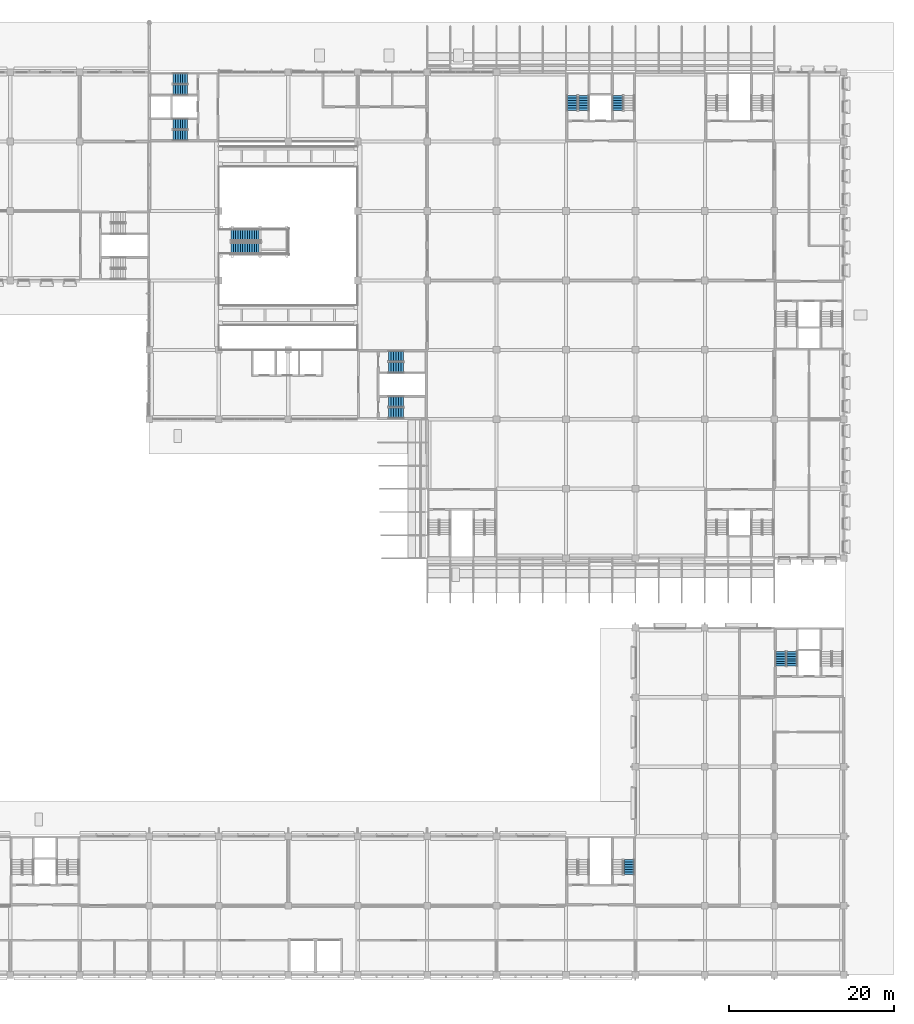
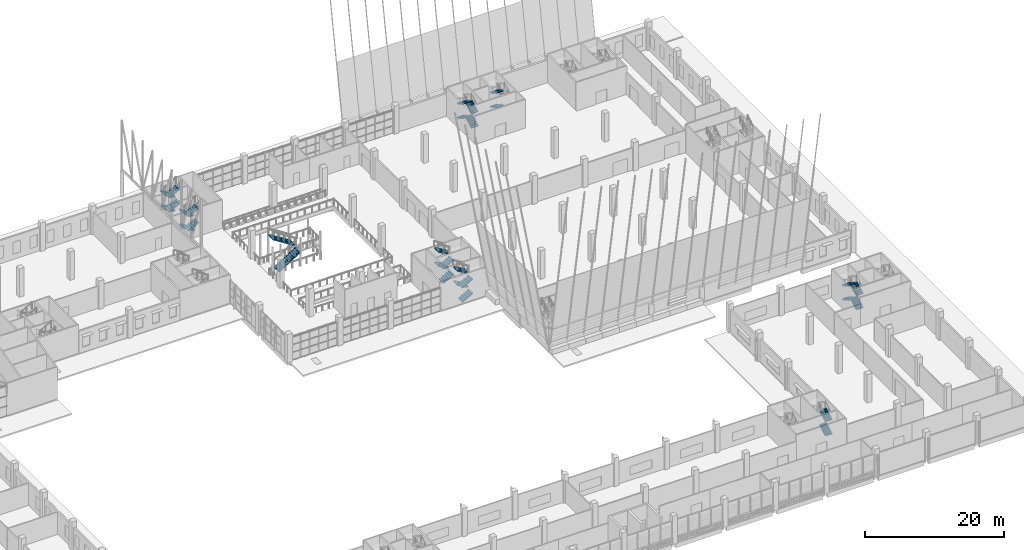
# One storey, part 45 of 101: 30 stair flights, 9 elements without a shape of their own.
"""IFC4 building model written with IfcOpenShell, lengths in metres."""

from ifc_helpers import new_model, si_unit, direction, frame, origin, place, context, subcontext, project, spatial, polyline, outline, extrude, material, type_object, element, aggregate, save


model = new_model("IFC4")

# Units and contexts
model_context = context("Model", 3, precision=1e-05, world=origin(), true_north=direction((0.0, 1.0)))
body_context = subcontext(model_context, "Body", "Model", "MODEL_VIEW")
ifc_project = project(units=[si_unit("LENGTHUNIT", "METRE"), si_unit("AREAUNIT", "SQUARE_METRE"), si_unit("VOLUMEUNIT", "CUBIC_METRE"), si_unit("PLANEANGLEUNIT", "RADIAN"), si_unit("MASSUNIT", "GRAM", prefix="KILO")], contexts=[model_context])

# Site, building, storey
site_placement = place(None, origin())
site = spatial("IfcSite", under=ifc_project, at=site_placement, CompositionType="ELEMENT")
building_placement = place(site_placement, origin())
building = spatial("IfcBuilding", under=site, at=building_placement, Name="Almond Square Museum", CompositionType="ELEMENT")
storey_placement = place(building_placement, frame((0.0, 0.0, 5.5)))
storey = spatial("IfcBuildingStorey", under=building, at=storey_placement, Name="L01", CompositionType="ELEMENT", Elevation=5.5)

# Stair, stair flights
ifc_material_1 = material(Name="Concrete C40/50", Category="concrete")
stair_type_1 = type_object("IfcStairType", Name="Exit stair 28 risers of 179 mm", PredefinedType="HALF_TURN_STAIR", material=ifc_material_1)
stair_1_placement = place(storey_placement, origin())
stair_1 = element("IfcStair", 1, at=stair_1_placement, inside=storey, type_object=stair_type_1, Name="L01 stair H4-1", PredefinedType="HALF_TURN_STAIR")
ifc_material_2 = material(Name="Concrete C40/50", Category="concrete")
stair_flight_type_1 = type_object("IfcStairFlightType", Name="Concrete flight", PredefinedType="STRAIGHT", material=ifc_material_2)
stair_flight_1_placement = place(storey_placement, frame((125.72509765625, 104.550048828125, 0.0), z_axis=(0.0, 0.0, 1.0), x_axis=(0.0, 1.0, 0.0)))
stair_flight_1 = element("IfcStairFlight", 2, at=stair_flight_1_placement, type_object=stair_flight_type_1, Name="ST-07 flight 1", NumberOfRisers=7, NumberOfTreads=6, PredefinedType="STRAIGHT", RiserHeight=0.178571429, TreadLength=0.3, context=body_context, shape_type="SweptSolid", body=[
    extrude(outline(polyline([(0.0, 0.0), (0.0, 0.178466796875), (0.300048828125, 0.178466796875), (0.300048828125, 0.357177734375), (0.60009765625, 0.357177734375), (0.60009765625, 0.53564453125), (0.89990234375, 0.53564453125), (0.89990234375, 0.71435546875), (1.199951171875, 0.71435546875), (1.199951171875, 0.892822265625), (1.5, 0.892822265625), (1.5, 1.071533203125), (1.800048828125, 1.071533203125), (1.800048828125, 1.25), (1.800048828125, 0.89697265625), (0.29296875, 0.0), (0.0, 0.0)])), frame((0.0, 0.574951171875, 0.0), z_axis=(0.0, -1.0, 0.0), x_axis=(1.0, 0.0, 0.0)), (0.0, 0.0, 1.0), 1.14990234375),
])
stair_flight_2_placement = place(storey_placement, frame((124.375, 106.35009765625, 1.25), z_axis=(0.0, 0.0, 1.0), x_axis=(0.0, -1.0, 0.0)))
stair_flight_2 = element("IfcStairFlight", 3, at=stair_flight_2_placement, type_object=stair_flight_type_1, Name="ST-07 flight 2", NumberOfRisers=7, NumberOfTreads=6, PredefinedType="STRAIGHT", RiserHeight=0.178571429, TreadLength=0.3, context=body_context, shape_type="SweptSolid", body=[
    extrude(outline(polyline([(0.0, 0.0), (0.0, 0.178466796875), (0.300048828125, 0.178466796875), (0.300048828125, 0.357177734375), (0.60009765625, 0.357177734375), (0.60009765625, 0.53564453125), (0.89990234375, 0.53564453125), (0.89990234375, 0.71435546875), (1.199951171875, 0.71435546875), (1.199951171875, 0.892822265625), (1.5, 0.892822265625), (1.5, 1.071533203125), (1.800048828125, 1.071533203125), (1.800048828125, 1.25), (1.800048828125, 0.89697265625), (0.29296875, 0.0), (0.0, 0.0)])), frame((0.0, 0.574951171875, 0.0), z_axis=(0.0, -1.0, 0.0), x_axis=(1.0, 0.0, 0.0)), (0.0, 0.0, 1.0), 1.14990234375),
])
stair_flight_3_placement = place(storey_placement, frame((125.72509765625, 104.550048828125, 2.5), z_axis=(0.0, 0.0, 1.0), x_axis=(0.0, 1.0, 0.0)))
stair_flight_3 = element("IfcStairFlight", 4, at=stair_flight_3_placement, type_object=stair_flight_type_1, Name="ST-07 flight 3", NumberOfRisers=7, NumberOfTreads=6, PredefinedType="STRAIGHT", RiserHeight=0.178571429, TreadLength=0.3, context=body_context, shape_type="SweptSolid", body=[
    extrude(outline(polyline([(0.0, 0.0), (0.0, 0.178466796875), (0.300048828125, 0.178466796875), (0.300048828125, 0.357177734375), (0.60009765625, 0.357177734375), (0.60009765625, 0.53564453125), (0.89990234375, 0.53564453125), (0.89990234375, 0.71435546875), (1.199951171875, 0.71435546875), (1.199951171875, 0.892822265625), (1.5, 0.892822265625), (1.5, 1.071533203125), (1.800048828125, 1.071533203125), (1.800048828125, 1.25), (1.800048828125, 0.89697265625), (0.29296875, 0.0), (0.0, 0.0)])), frame((0.0, 0.574951171875, 0.0), z_axis=(0.0, -1.0, 0.0), x_axis=(1.0, 0.0, 0.0)), (0.0, 0.0, 1.0), 1.14990234375),
])
stair_flight_4_placement = place(storey_placement, frame((124.375, 106.35009765625, 3.75), z_axis=(0.0, 0.0, 1.0), x_axis=(0.0, -1.0, 0.0)))
stair_flight_4 = element("IfcStairFlight", 5, at=stair_flight_4_placement, type_object=stair_flight_type_1, Name="ST-07 flight 4", NumberOfRisers=7, NumberOfTreads=6, PredefinedType="STRAIGHT", RiserHeight=0.178571429, TreadLength=0.3, context=body_context, shape_type="SweptSolid", body=[
    extrude(outline(polyline([(0.0, 0.0), (0.0, 0.178466796875), (0.300048828125, 0.178466796875), (0.300048828125, 0.357177734375), (0.60009765625, 0.357177734375), (0.60009765625, 0.53564453125), (0.89990234375, 0.53564453125), (0.89990234375, 0.71435546875), (1.199951171875, 0.71435546875), (1.199951171875, 0.892822265625), (1.5, 0.892822265625), (1.5, 1.071533203125), (1.800048828125, 1.071533203125), (1.800048828125, 1.25), (1.800048828125, 0.89697265625), (0.29296875, 0.0), (0.0, 0.0)])), frame((0.0, 0.574951171875, 0.0), z_axis=(0.0, -1.0, 0.0), x_axis=(1.0, 0.0, 0.0)), (0.0, 0.0, 1.0), 1.14990234375),
])
aggregate(stair_1, [stair_flight_1, stair_flight_2, stair_flight_3, stair_flight_4])

stair_2_placement = place(storey_placement, origin())
stair_2 = element("IfcStair", 6, at=stair_2_placement, inside=storey, type_object=stair_type_1, Name="L01 stair H4-2", PredefinedType="HALF_TURN_STAIR")
stair_flight_5_placement = place(storey_placement, frame((129.875, 106.35009765625, 1.25), z_axis=(0.0, 0.0, 1.0), x_axis=(0.0, -1.0, 0.0)))
stair_flight_5 = element("IfcStairFlight", 7, at=stair_flight_5_placement, type_object=stair_flight_type_1, Name="ST-08 flight 2", NumberOfRisers=7, NumberOfTreads=6, PredefinedType="STRAIGHT", RiserHeight=0.178571429, TreadLength=0.3, context=body_context, shape_type="SweptSolid", body=[
    extrude(outline(polyline([(0.0, 0.0), (0.0, 0.178466796875), (0.300048828125, 0.178466796875), (0.300048828125, 0.357177734375), (0.60009765625, 0.357177734375), (0.60009765625, 0.53564453125), (0.89990234375, 0.53564453125), (0.89990234375, 0.71435546875), (1.199951171875, 0.71435546875), (1.199951171875, 0.892822265625), (1.5, 0.892822265625), (1.5, 1.071533203125), (1.800048828125, 1.071533203125), (1.800048828125, 1.25), (1.800048828125, 0.89697265625), (0.29296875, 0.0), (0.0, 0.0)])), frame((0.0, 0.574951171875, 0.0), z_axis=(0.0, -1.0, 0.0), x_axis=(1.0, 0.0, 0.0)), (0.0, 0.0, 1.0), 1.14990234375),
])
stair_flight_6_placement = place(storey_placement, frame((129.875, 106.35009765625, 3.75), z_axis=(0.0, 0.0, 1.0), x_axis=(0.0, -1.0, 0.0)))
stair_flight_6 = element("IfcStairFlight", 8, at=stair_flight_6_placement, type_object=stair_flight_type_1, Name="ST-08 flight 4", NumberOfRisers=7, NumberOfTreads=6, PredefinedType="STRAIGHT", RiserHeight=0.178571429, TreadLength=0.3, context=body_context, shape_type="SweptSolid", body=[
    extrude(outline(polyline([(0.0, 0.0), (0.0, 0.178466796875), (0.300048828125, 0.178466796875), (0.300048828125, 0.357177734375), (0.60009765625, 0.357177734375), (0.60009765625, 0.53564453125), (0.89990234375, 0.53564453125), (0.89990234375, 0.71435546875), (1.199951171875, 0.71435546875), (1.199951171875, 0.892822265625), (1.5, 0.892822265625), (1.5, 1.071533203125), (1.800048828125, 1.071533203125), (1.800048828125, 1.25), (1.800048828125, 0.89697265625), (0.29296875, 0.0), (0.0, 0.0)])), frame((0.0, 0.574951171875, 0.0), z_axis=(0.0, -1.0, 0.0), x_axis=(1.0, 0.0, 0.0)), (0.0, 0.0, 1.0), 1.14990234375),
])
aggregate(stair_2, [stair_flight_5, stair_flight_6])

stair_3_placement = place(storey_placement, origin())
stair_3 = element("IfcStair", 9, at=stair_3_placement, inside=storey, type_object=stair_type_1, Name="L01 stair A1-1", PredefinedType="HALF_TURN_STAIR")
stair_flight_7_placement = place(storey_placement, frame((77.85009765625, 102.925048828125, 0.0), z_axis=(0.0, 0.0, 1.0), x_axis=(-1.0, 0.0, 0.0)))
stair_flight_7 = element("IfcStairFlight", 10, at=stair_flight_7_placement, type_object=stair_flight_type_1, Name="ST-09 flight 1", NumberOfRisers=7, NumberOfTreads=6, PredefinedType="STRAIGHT", RiserHeight=0.178571429, TreadLength=0.3, context=body_context, shape_type="SweptSolid", body=[
    extrude(outline(polyline([(0.0, 0.0), (0.0, 0.178466796875), (0.300048828125, 0.178466796875), (0.300048828125, 0.357177734375), (0.60009765625, 0.357177734375), (0.60009765625, 0.53564453125), (0.89990234375, 0.53564453125), (0.89990234375, 0.71435546875), (1.199951171875, 0.71435546875), (1.199951171875, 0.892822265625), (1.5, 0.892822265625), (1.5, 1.071533203125), (1.800048828125, 1.071533203125), (1.800048828125, 1.25), (1.800048828125, 0.89697265625), (0.29296875, 0.0), (0.0, 0.0)])), frame((0.0, 0.574951171875, 0.0), z_axis=(0.0, -1.0, 0.0), x_axis=(1.0, 0.0, 0.0)), (0.0, 0.0, 1.0), 1.14990234375),
])
stair_flight_8_placement = place(storey_placement, frame((76.050048828125, 101.574951171875, 1.25), z_axis=(0.0, 0.0, 1.0), x_axis=(1.0, 0.0, 0.0)))
stair_flight_8 = element("IfcStairFlight", 11, at=stair_flight_8_placement, type_object=stair_flight_type_1, Name="ST-09 flight 2", NumberOfRisers=7, NumberOfTreads=6, PredefinedType="STRAIGHT", RiserHeight=0.178571429, TreadLength=0.3, context=body_context, shape_type="SweptSolid", body=[
    extrude(outline(polyline([(0.0, 0.0), (0.0, 0.178466796875), (0.300048828125, 0.178466796875), (0.300048828125, 0.357177734375), (0.60009765625, 0.357177734375), (0.60009765625, 0.53564453125), (0.89990234375, 0.53564453125), (0.89990234375, 0.71435546875), (1.199951171875, 0.71435546875), (1.199951171875, 0.892822265625), (1.5, 0.892822265625), (1.5, 1.071533203125), (1.800048828125, 1.071533203125), (1.800048828125, 1.25), (1.800048828125, 0.89697265625), (0.29296875, 0.0), (0.0, 0.0)])), frame((0.0, 0.574951171875, 0.0), z_axis=(0.0, -1.0, 0.0), x_axis=(1.0, 0.0, 0.0)), (0.0, 0.0, 1.0), 1.14990234375),
])
stair_flight_9_placement = place(storey_placement, frame((77.85009765625, 102.925048828125, 2.5), z_axis=(0.0, 0.0, 1.0), x_axis=(-1.0, 0.0, 0.0)))
stair_flight_9 = element("IfcStairFlight", 12, at=stair_flight_9_placement, type_object=stair_flight_type_1, Name="ST-09 flight 3", NumberOfRisers=7, NumberOfTreads=6, PredefinedType="STRAIGHT", RiserHeight=0.178571429, TreadLength=0.3, context=body_context, shape_type="SweptSolid", body=[
    extrude(outline(polyline([(0.0, 0.0), (0.0, 0.178466796875), (0.300048828125, 0.178466796875), (0.300048828125, 0.357177734375), (0.60009765625, 0.357177734375), (0.60009765625, 0.53564453125), (0.89990234375, 0.53564453125), (0.89990234375, 0.71435546875), (1.199951171875, 0.71435546875), (1.199951171875, 0.892822265625), (1.5, 0.892822265625), (1.5, 1.071533203125), (1.800048828125, 1.071533203125), (1.800048828125, 1.25), (1.800048828125, 0.89697265625), (0.29296875, 0.0), (0.0, 0.0)])), frame((0.0, 0.574951171875, 0.0), z_axis=(0.0, -1.0, 0.0), x_axis=(1.0, 0.0, 0.0)), (0.0, 0.0, 1.0), 1.14990234375),
])
stair_flight_10_placement = place(storey_placement, frame((76.050048828125, 101.574951171875, 3.75), z_axis=(0.0, 0.0, 1.0), x_axis=(1.0, 0.0, 0.0)))
stair_flight_10 = element("IfcStairFlight", 13, at=stair_flight_10_placement, type_object=stair_flight_type_1, Name="ST-09 flight 4", NumberOfRisers=7, NumberOfTreads=6, PredefinedType="STRAIGHT", RiserHeight=0.178571429, TreadLength=0.3, context=body_context, shape_type="SweptSolid", body=[
    extrude(outline(polyline([(0.0, 0.0), (0.0, 0.178466796875), (0.300048828125, 0.178466796875), (0.300048828125, 0.357177734375), (0.60009765625, 0.357177734375), (0.60009765625, 0.53564453125), (0.89990234375, 0.53564453125), (0.89990234375, 0.71435546875), (1.199951171875, 0.71435546875), (1.199951171875, 0.892822265625), (1.5, 0.892822265625), (1.5, 1.071533203125), (1.800048828125, 1.071533203125), (1.800048828125, 1.25), (1.800048828125, 0.89697265625), (0.29296875, 0.0), (0.0, 0.0)])), frame((0.0, 0.574951171875, 0.0), z_axis=(0.0, -1.0, 0.0), x_axis=(1.0, 0.0, 0.0)), (0.0, 0.0, 1.0), 1.14990234375),
])
aggregate(stair_3, [stair_flight_7, stair_flight_8, stair_flight_9, stair_flight_10])

stair_4_placement = place(storey_placement, origin())
stair_4 = element("IfcStair", 14, at=stair_4_placement, inside=storey, type_object=stair_type_1, Name="L01 stair A1-2", PredefinedType="HALF_TURN_STAIR")
stair_flight_11_placement = place(storey_placement, frame((77.85009765625, 108.425048828125, 0.0), z_axis=(0.0, 0.0, 1.0), x_axis=(-1.0, 0.0, 0.0)))
stair_flight_11 = element("IfcStairFlight", 15, at=stair_flight_11_placement, type_object=stair_flight_type_1, Name="ST-10 flight 1", NumberOfRisers=7, NumberOfTreads=6, PredefinedType="STRAIGHT", RiserHeight=0.178571429, TreadLength=0.3, context=body_context, shape_type="SweptSolid", body=[
    extrude(outline(polyline([(0.0, 0.0), (0.0, 0.178466796875), (0.300048828125, 0.178466796875), (0.300048828125, 0.357177734375), (0.60009765625, 0.357177734375), (0.60009765625, 0.53564453125), (0.89990234375, 0.53564453125), (0.89990234375, 0.71435546875), (1.199951171875, 0.71435546875), (1.199951171875, 0.892822265625), (1.5, 0.892822265625), (1.5, 1.071533203125), (1.800048828125, 1.071533203125), (1.800048828125, 1.25), (1.800048828125, 0.89697265625), (0.29296875, 0.0), (0.0, 0.0)])), frame((0.0, 0.574951171875, 0.0), z_axis=(0.0, -1.0, 0.0), x_axis=(1.0, 0.0, 0.0)), (0.0, 0.0, 1.0), 1.14990234375),
])
stair_flight_12_placement = place(storey_placement, frame((76.050048828125, 107.074951171875, 1.25), z_axis=(0.0, 0.0, 1.0), x_axis=(1.0, 0.0, 0.0)))
stair_flight_12 = element("IfcStairFlight", 16, at=stair_flight_12_placement, type_object=stair_flight_type_1, Name="ST-10 flight 2", NumberOfRisers=7, NumberOfTreads=6, PredefinedType="STRAIGHT", RiserHeight=0.178571429, TreadLength=0.3, context=body_context, shape_type="SweptSolid", body=[
    extrude(outline(polyline([(0.0, 0.0), (0.0, 0.178466796875), (0.300048828125, 0.178466796875), (0.300048828125, 0.357177734375), (0.60009765625, 0.357177734375), (0.60009765625, 0.53564453125), (0.89990234375, 0.53564453125), (0.89990234375, 0.71435546875), (1.199951171875, 0.71435546875), (1.199951171875, 0.892822265625), (1.5, 0.892822265625), (1.5, 1.071533203125), (1.800048828125, 1.071533203125), (1.800048828125, 1.25), (1.800048828125, 0.89697265625), (0.29296875, 0.0), (0.0, 0.0)])), frame((0.0, 0.574951171875, 0.0), z_axis=(0.0, -1.0, 0.0), x_axis=(1.0, 0.0, 0.0)), (0.0, 0.0, 1.0), 1.14990234375),
])
stair_flight_13_placement = place(storey_placement, frame((77.85009765625, 108.425048828125, 2.5), z_axis=(0.0, 0.0, 1.0), x_axis=(-1.0, 0.0, 0.0)))
stair_flight_13 = element("IfcStairFlight", 17, at=stair_flight_13_placement, type_object=stair_flight_type_1, Name="ST-10 flight 3", NumberOfRisers=7, NumberOfTreads=6, PredefinedType="STRAIGHT", RiserHeight=0.178571429, TreadLength=0.3, context=body_context, shape_type="SweptSolid", body=[
    extrude(outline(polyline([(0.0, 0.0), (0.0, 0.178466796875), (0.300048828125, 0.178466796875), (0.300048828125, 0.357177734375), (0.60009765625, 0.357177734375), (0.60009765625, 0.53564453125), (0.89990234375, 0.53564453125), (0.89990234375, 0.71435546875), (1.199951171875, 0.71435546875), (1.199951171875, 0.892822265625), (1.5, 0.892822265625), (1.5, 1.071533203125), (1.800048828125, 1.071533203125), (1.800048828125, 1.25), (1.800048828125, 0.89697265625), (0.29296875, 0.0), (0.0, 0.0)])), frame((0.0, 0.574951171875, 0.0), z_axis=(0.0, -1.0, 0.0), x_axis=(1.0, 0.0, 0.0)), (0.0, 0.0, 1.0), 1.14990234375),
])
stair_flight_14_placement = place(storey_placement, frame((76.050048828125, 107.074951171875, 3.75), z_axis=(0.0, 0.0, 1.0), x_axis=(1.0, 0.0, 0.0)))
stair_flight_14 = element("IfcStairFlight", 18, at=stair_flight_14_placement, type_object=stair_flight_type_1, Name="ST-10 flight 4", NumberOfRisers=7, NumberOfTreads=6, PredefinedType="STRAIGHT", RiserHeight=0.178571429, TreadLength=0.3, context=body_context, shape_type="SweptSolid", body=[
    extrude(outline(polyline([(0.0, 0.0), (0.0, 0.178466796875), (0.300048828125, 0.178466796875), (0.300048828125, 0.357177734375), (0.60009765625, 0.357177734375), (0.60009765625, 0.53564453125), (0.89990234375, 0.53564453125), (0.89990234375, 0.71435546875), (1.199951171875, 0.71435546875), (1.199951171875, 0.892822265625), (1.5, 0.892822265625), (1.5, 1.071533203125), (1.800048828125, 1.071533203125), (1.800048828125, 1.25), (1.800048828125, 0.89697265625), (0.29296875, 0.0), (0.0, 0.0)])), frame((0.0, 0.574951171875, 0.0), z_axis=(0.0, -1.0, 0.0), x_axis=(1.0, 0.0, 0.0)), (0.0, 0.0, 1.0), 1.14990234375),
])
aggregate(stair_4, [stair_flight_11, stair_flight_12, stair_flight_13, stair_flight_14])

stair_5_placement = place(storey_placement, origin())
stair_5 = element("IfcStair", 19, at=stair_5_placement, inside=storey, type_object=stair_type_1, Name="L01 stair A2-1", PredefinedType="HALF_TURN_STAIR")
stair_flight_15_placement = place(storey_placement, frame((102.14990234375, 67.97509765625, 0.0), z_axis=(0.0, 0.0, 1.0), x_axis=(1.0, 0.0, 0.0)))
stair_flight_15 = element("IfcStairFlight", 20, at=stair_flight_15_placement, type_object=stair_flight_type_1, Name="ST-11 flight 1", NumberOfRisers=7, NumberOfTreads=6, PredefinedType="STRAIGHT", RiserHeight=0.178571429, TreadLength=0.3, context=body_context, shape_type="SweptSolid", body=[
    extrude(outline(polyline([(0.0, 0.0), (0.0, 0.178466796875), (0.300048828125, 0.178466796875), (0.300048828125, 0.357177734375), (0.60009765625, 0.357177734375), (0.60009765625, 0.53564453125), (0.89990234375, 0.53564453125), (0.89990234375, 0.71435546875), (1.199951171875, 0.71435546875), (1.199951171875, 0.892822265625), (1.5, 0.892822265625), (1.5, 1.071533203125), (1.800048828125, 1.071533203125), (1.800048828125, 1.25), (1.800048828125, 0.89697265625), (0.29296875, 0.0), (0.0, 0.0)])), frame((0.0, 0.574951171875, 0.0), z_axis=(0.0, -1.0, 0.0), x_axis=(1.0, 0.0, 0.0)), (0.0, 0.0, 1.0), 1.14990234375),
])
stair_flight_16_placement = place(storey_placement, frame((103.949951171875, 69.324951171875, 1.25), z_axis=(0.0, 0.0, 1.0), x_axis=(-1.0, 0.0, 0.0)))
stair_flight_16 = element("IfcStairFlight", 21, at=stair_flight_16_placement, type_object=stair_flight_type_1, Name="ST-11 flight 2", NumberOfRisers=7, NumberOfTreads=6, PredefinedType="STRAIGHT", RiserHeight=0.178571429, TreadLength=0.3, context=body_context, shape_type="SweptSolid", body=[
    extrude(outline(polyline([(0.0, 0.0), (0.0, 0.178466796875), (0.300048828125, 0.178466796875), (0.300048828125, 0.357177734375), (0.60009765625, 0.357177734375), (0.60009765625, 0.53564453125), (0.89990234375, 0.53564453125), (0.89990234375, 0.71435546875), (1.199951171875, 0.71435546875), (1.199951171875, 0.892822265625), (1.5, 0.892822265625), (1.5, 1.071533203125), (1.800048828125, 1.071533203125), (1.800048828125, 1.25), (1.800048828125, 0.89697265625), (0.29296875, 0.0), (0.0, 0.0)])), frame((0.0, 0.574951171875, 0.0), z_axis=(0.0, -1.0, 0.0), x_axis=(1.0, 0.0, 0.0)), (0.0, 0.0, 1.0), 1.14990234375),
])
stair_flight_17_placement = place(storey_placement, frame((102.14990234375, 67.97509765625, 2.5), z_axis=(0.0, 0.0, 1.0), x_axis=(1.0, 0.0, 0.0)))
stair_flight_17 = element("IfcStairFlight", 22, at=stair_flight_17_placement, type_object=stair_flight_type_1, Name="ST-11 flight 3", NumberOfRisers=7, NumberOfTreads=6, PredefinedType="STRAIGHT", RiserHeight=0.178571429, TreadLength=0.3, context=body_context, shape_type="SweptSolid", body=[
    extrude(outline(polyline([(0.0, 0.0), (0.0, 0.178466796875), (0.300048828125, 0.178466796875), (0.300048828125, 0.357177734375), (0.60009765625, 0.357177734375), (0.60009765625, 0.53564453125), (0.89990234375, 0.53564453125), (0.89990234375, 0.71435546875), (1.199951171875, 0.71435546875), (1.199951171875, 0.892822265625), (1.5, 0.892822265625), (1.5, 1.071533203125), (1.800048828125, 1.071533203125), (1.800048828125, 1.25), (1.800048828125, 0.89697265625), (0.29296875, 0.0), (0.0, 0.0)])), frame((0.0, 0.574951171875, 0.0), z_axis=(0.0, -1.0, 0.0), x_axis=(1.0, 0.0, 0.0)), (0.0, 0.0, 1.0), 1.14990234375),
])
stair_flight_18_placement = place(storey_placement, frame((103.949951171875, 69.324951171875, 3.75), z_axis=(0.0, 0.0, 1.0), x_axis=(-1.0, 0.0, 0.0)))
stair_flight_18 = element("IfcStairFlight", 23, at=stair_flight_18_placement, type_object=stair_flight_type_1, Name="ST-11 flight 4", NumberOfRisers=7, NumberOfTreads=6, PredefinedType="STRAIGHT", RiserHeight=0.178571429, TreadLength=0.3, context=body_context, shape_type="SweptSolid", body=[
    extrude(outline(polyline([(0.0, 0.0), (0.0, 0.178466796875), (0.300048828125, 0.178466796875), (0.300048828125, 0.357177734375), (0.60009765625, 0.357177734375), (0.60009765625, 0.53564453125), (0.89990234375, 0.53564453125), (0.89990234375, 0.71435546875), (1.199951171875, 0.71435546875), (1.199951171875, 0.892822265625), (1.5, 0.892822265625), (1.5, 1.071533203125), (1.800048828125, 1.071533203125), (1.800048828125, 1.25), (1.800048828125, 0.89697265625), (0.29296875, 0.0), (0.0, 0.0)])), frame((0.0, 0.574951171875, 0.0), z_axis=(0.0, -1.0, 0.0), x_axis=(1.0, 0.0, 0.0)), (0.0, 0.0, 1.0), 1.14990234375),
])
aggregate(stair_5, [stair_flight_15, stair_flight_16, stair_flight_17, stair_flight_18])

stair_6_placement = place(storey_placement, origin())
stair_6 = element("IfcStair", 24, at=stair_6_placement, inside=storey, type_object=stair_type_1, Name="L01 stair A2-2", PredefinedType="HALF_TURN_STAIR")
stair_flight_19_placement = place(storey_placement, frame((102.14990234375, 73.47509765625, 0.0), z_axis=(0.0, 0.0, 1.0), x_axis=(1.0, 0.0, 0.0)))
stair_flight_19 = element("IfcStairFlight", 25, at=stair_flight_19_placement, type_object=stair_flight_type_1, Name="ST-12 flight 1", NumberOfRisers=7, NumberOfTreads=6, PredefinedType="STRAIGHT", RiserHeight=0.178571429, TreadLength=0.3, context=body_context, shape_type="SweptSolid", body=[
    extrude(outline(polyline([(0.0, 0.0), (0.0, 0.178466796875), (0.300048828125, 0.178466796875), (0.300048828125, 0.357177734375), (0.60009765625, 0.357177734375), (0.60009765625, 0.53564453125), (0.89990234375, 0.53564453125), (0.89990234375, 0.71435546875), (1.199951171875, 0.71435546875), (1.199951171875, 0.892822265625), (1.5, 0.892822265625), (1.5, 1.071533203125), (1.800048828125, 1.071533203125), (1.800048828125, 1.25), (1.800048828125, 0.89697265625), (0.29296875, 0.0), (0.0, 0.0)])), frame((0.0, 0.574951171875, 0.0), z_axis=(0.0, -1.0, 0.0), x_axis=(1.0, 0.0, 0.0)), (0.0, 0.0, 1.0), 1.14990234375),
])
stair_flight_20_placement = place(storey_placement, frame((103.949951171875, 74.824951171875, 1.25), z_axis=(0.0, 0.0, 1.0), x_axis=(-1.0, 0.0, 0.0)))
stair_flight_20 = element("IfcStairFlight", 26, at=stair_flight_20_placement, type_object=stair_flight_type_1, Name="ST-12 flight 2", NumberOfRisers=7, NumberOfTreads=6, PredefinedType="STRAIGHT", RiserHeight=0.178571429, TreadLength=0.3, context=body_context, shape_type="SweptSolid", body=[
    extrude(outline(polyline([(0.0, 0.0), (0.0, 0.178466796875), (0.300048828125, 0.178466796875), (0.300048828125, 0.357177734375), (0.60009765625, 0.357177734375), (0.60009765625, 0.53564453125), (0.89990234375, 0.53564453125), (0.89990234375, 0.71435546875), (1.199951171875, 0.71435546875), (1.199951171875, 0.892822265625), (1.5, 0.892822265625), (1.5, 1.071533203125), (1.800048828125, 1.071533203125), (1.800048828125, 1.25), (1.800048828125, 0.89697265625), (0.29296875, 0.0), (0.0, 0.0)])), frame((0.0, 0.574951171875, 0.0), z_axis=(0.0, -1.0, 0.0), x_axis=(1.0, 0.0, 0.0)), (0.0, 0.0, 1.0), 1.14990234375),
])
stair_flight_21_placement = place(storey_placement, frame((102.14990234375, 73.47509765625, 2.5), z_axis=(0.0, 0.0, 1.0), x_axis=(1.0, 0.0, 0.0)))
stair_flight_21 = element("IfcStairFlight", 27, at=stair_flight_21_placement, type_object=stair_flight_type_1, Name="ST-12 flight 3", NumberOfRisers=7, NumberOfTreads=6, PredefinedType="STRAIGHT", RiserHeight=0.178571429, TreadLength=0.3, context=body_context, shape_type="SweptSolid", body=[
    extrude(outline(polyline([(0.0, 0.0), (0.0, 0.178466796875), (0.300048828125, 0.178466796875), (0.300048828125, 0.357177734375), (0.60009765625, 0.357177734375), (0.60009765625, 0.53564453125), (0.89990234375, 0.53564453125), (0.89990234375, 0.71435546875), (1.199951171875, 0.71435546875), (1.199951171875, 0.892822265625), (1.5, 0.892822265625), (1.5, 1.071533203125), (1.800048828125, 1.071533203125), (1.800048828125, 1.25), (1.800048828125, 0.89697265625), (0.29296875, 0.0), (0.0, 0.0)])), frame((0.0, 0.574951171875, 0.0), z_axis=(0.0, -1.0, 0.0), x_axis=(1.0, 0.0, 0.0)), (0.0, 0.0, 1.0), 1.14990234375),
])
stair_flight_22_placement = place(storey_placement, frame((103.949951171875, 74.824951171875, 3.75), z_axis=(0.0, 0.0, 1.0), x_axis=(-1.0, 0.0, 0.0)))
stair_flight_22 = element("IfcStairFlight", 28, at=stair_flight_22_placement, type_object=stair_flight_type_1, Name="ST-12 flight 4", NumberOfRisers=7, NumberOfTreads=6, PredefinedType="STRAIGHT", RiserHeight=0.178571429, TreadLength=0.3, context=body_context, shape_type="SweptSolid", body=[
    extrude(outline(polyline([(0.0, 0.0), (0.0, 0.178466796875), (0.300048828125, 0.178466796875), (0.300048828125, 0.357177734375), (0.60009765625, 0.357177734375), (0.60009765625, 0.53564453125), (0.89990234375, 0.53564453125), (0.89990234375, 0.71435546875), (1.199951171875, 0.71435546875), (1.199951171875, 0.892822265625), (1.5, 0.892822265625), (1.5, 1.071533203125), (1.800048828125, 1.071533203125), (1.800048828125, 1.25), (1.800048828125, 0.89697265625), (0.29296875, 0.0), (0.0, 0.0)])), frame((0.0, 0.574951171875, 0.0), z_axis=(0.0, -1.0, 0.0), x_axis=(1.0, 0.0, 0.0)), (0.0, 0.0, 1.0), 1.14990234375),
])
aggregate(stair_6, [stair_flight_19, stair_flight_20, stair_flight_21, stair_flight_22])

stair_7_placement = place(storey_placement, origin())
stair_7 = element("IfcStair", 29, at=stair_7_placement, inside=storey, type_object=stair_type_1, Name="L01 stair S3-2", PredefinedType="HALF_TURN_STAIR")
stair_flight_23_placement = place(storey_placement, frame((131.22509765625, 12.14990234375, 0.0), z_axis=(0.0, 0.0, 1.0), x_axis=(0.0, 1.0, 0.0)))
stair_flight_23 = element("IfcStairFlight", 30, at=stair_flight_23_placement, type_object=stair_flight_type_1, Name="ST-32 flight 1", NumberOfRisers=7, NumberOfTreads=6, PredefinedType="STRAIGHT", RiserHeight=0.178571429, TreadLength=0.3, context=body_context, shape_type="SweptSolid", body=[
    extrude(outline(polyline([(0.0, 0.0), (0.0, 0.178466796875), (0.300048828125, 0.178466796875), (0.300048828125, 0.357177734375), (0.60009765625, 0.357177734375), (0.60009765625, 0.53564453125), (0.89990234375, 0.53564453125), (0.89990234375, 0.71435546875), (1.199951171875, 0.71435546875), (1.199951171875, 0.892822265625), (1.5, 0.892822265625), (1.5, 1.071533203125), (1.800048828125, 1.071533203125), (1.800048828125, 1.25), (1.800048828125, 0.89697265625), (0.29296875, 0.0), (0.0, 0.0)])), frame((0.0, 0.574951171875, 0.0), z_axis=(0.0, -1.0, 0.0), x_axis=(1.0, 0.0, 0.0)), (0.0, 0.0, 1.0), 1.14990234375),
])
stair_flight_24_placement = place(storey_placement, frame((131.22509765625, 12.14990234375, 2.5), z_axis=(0.0, 0.0, 1.0), x_axis=(0.0, 1.0, 0.0)))
stair_flight_24 = element("IfcStairFlight", 31, at=stair_flight_24_placement, type_object=stair_flight_type_1, Name="ST-32 flight 3", NumberOfRisers=7, NumberOfTreads=6, PredefinedType="STRAIGHT", RiserHeight=0.178571429, TreadLength=0.3, context=body_context, shape_type="SweptSolid", body=[
    extrude(outline(polyline([(0.0, 0.0), (0.0, 0.178466796875), (0.300048828125, 0.178466796875), (0.300048828125, 0.357177734375), (0.60009765625, 0.357177734375), (0.60009765625, 0.53564453125), (0.89990234375, 0.53564453125), (0.89990234375, 0.71435546875), (1.199951171875, 0.71435546875), (1.199951171875, 0.892822265625), (1.5, 0.892822265625), (1.5, 1.071533203125), (1.800048828125, 1.071533203125), (1.800048828125, 1.25), (1.800048828125, 0.89697265625), (0.29296875, 0.0), (0.0, 0.0)])), frame((0.0, 0.574951171875, 0.0), z_axis=(0.0, -1.0, 0.0), x_axis=(1.0, 0.0, 0.0)), (0.0, 0.0, 1.0), 1.14990234375),
])
aggregate(stair_7, [stair_flight_23, stair_flight_24])

stair_8_placement = place(storey_placement, origin())
stair_8 = element("IfcStair", 32, at=stair_8_placement, inside=storey, type_object=stair_type_1, Name="L01 stair X1-1", PredefinedType="HALF_TURN_STAIR")
stair_flight_25_placement = place(storey_placement, frame((150.925048828125, 37.35009765625, 0.0), z_axis=(0.0, 0.0, 1.0), x_axis=(0.0, 1.0, 0.0)))
stair_flight_25 = element("IfcStairFlight", 33, at=stair_flight_25_placement, type_object=stair_flight_type_1, Name="ST-33 flight 1", NumberOfRisers=7, NumberOfTreads=6, PredefinedType="STRAIGHT", RiserHeight=0.178571429, TreadLength=0.3, context=body_context, shape_type="SweptSolid", body=[
    extrude(outline(polyline([(0.0, 0.0), (0.0, 0.178466796875), (0.300048828125, 0.178466796875), (0.300048828125, 0.357177734375), (0.60009765625, 0.357177734375), (0.60009765625, 0.53564453125), (0.89990234375, 0.53564453125), (0.89990234375, 0.71435546875), (1.199951171875, 0.71435546875), (1.199951171875, 0.892822265625), (1.5, 0.892822265625), (1.5, 1.071533203125), (1.800048828125, 1.071533203125), (1.800048828125, 1.25), (1.800048828125, 0.89697265625), (0.29296875, 0.0), (0.0, 0.0)])), frame((0.0, 0.574951171875, 0.0), z_axis=(0.0, -1.0, 0.0), x_axis=(1.0, 0.0, 0.0)), (0.0, 0.0, 1.0), 1.14990234375),
])
stair_flight_26_placement = place(storey_placement, frame((149.574951171875, 39.14990234375, 1.25), z_axis=(0.0, 0.0, 1.0), x_axis=(0.0, -1.0, 0.0)))
stair_flight_26 = element("IfcStairFlight", 34, at=stair_flight_26_placement, type_object=stair_flight_type_1, Name="ST-33 flight 2", NumberOfRisers=7, NumberOfTreads=6, PredefinedType="STRAIGHT", RiserHeight=0.178571429, TreadLength=0.3, context=body_context, shape_type="SweptSolid", body=[
    extrude(outline(polyline([(0.0, 0.0), (0.0, 0.178466796875), (0.300048828125, 0.178466796875), (0.300048828125, 0.357177734375), (0.60009765625, 0.357177734375), (0.60009765625, 0.53564453125), (0.89990234375, 0.53564453125), (0.89990234375, 0.71435546875), (1.199951171875, 0.71435546875), (1.199951171875, 0.892822265625), (1.5, 0.892822265625), (1.5, 1.071533203125), (1.800048828125, 1.071533203125), (1.800048828125, 1.25), (1.800048828125, 0.89697265625), (0.29296875, 0.0), (0.0, 0.0)])), frame((0.0, 0.574951171875, 0.0), z_axis=(0.0, -1.0, 0.0), x_axis=(1.0, 0.0, 0.0)), (0.0, 0.0, 1.0), 1.14990234375),
])
stair_flight_27_placement = place(storey_placement, frame((150.925048828125, 37.35009765625, 2.5), z_axis=(0.0, 0.0, 1.0), x_axis=(0.0, 1.0, 0.0)))
stair_flight_27 = element("IfcStairFlight", 35, at=stair_flight_27_placement, type_object=stair_flight_type_1, Name="ST-33 flight 3", NumberOfRisers=7, NumberOfTreads=6, PredefinedType="STRAIGHT", RiserHeight=0.178571429, TreadLength=0.3, context=body_context, shape_type="SweptSolid", body=[
    extrude(outline(polyline([(0.0, 0.0), (0.0, 0.178466796875), (0.300048828125, 0.178466796875), (0.300048828125, 0.357177734375), (0.60009765625, 0.357177734375), (0.60009765625, 0.53564453125), (0.89990234375, 0.53564453125), (0.89990234375, 0.71435546875), (1.199951171875, 0.71435546875), (1.199951171875, 0.892822265625), (1.5, 0.892822265625), (1.5, 1.071533203125), (1.800048828125, 1.071533203125), (1.800048828125, 1.25), (1.800048828125, 0.89697265625), (0.29296875, 0.0), (0.0, 0.0)])), frame((0.0, 0.574951171875, 0.0), z_axis=(0.0, -1.0, 0.0), x_axis=(1.0, 0.0, 0.0)), (0.0, 0.0, 1.0), 1.14990234375),
])
stair_flight_28_placement = place(storey_placement, frame((149.574951171875, 39.14990234375, 3.75), z_axis=(0.0, 0.0, 1.0), x_axis=(0.0, -1.0, 0.0)))
stair_flight_28 = element("IfcStairFlight", 36, at=stair_flight_28_placement, type_object=stair_flight_type_1, Name="ST-33 flight 4", NumberOfRisers=7, NumberOfTreads=6, PredefinedType="STRAIGHT", RiserHeight=0.178571429, TreadLength=0.3, context=body_context, shape_type="SweptSolid", body=[
    extrude(outline(polyline([(0.0, 0.0), (0.0, 0.178466796875), (0.300048828125, 0.178466796875), (0.300048828125, 0.357177734375), (0.60009765625, 0.357177734375), (0.60009765625, 0.53564453125), (0.89990234375, 0.53564453125), (0.89990234375, 0.71435546875), (1.199951171875, 0.71435546875), (1.199951171875, 0.892822265625), (1.5, 0.892822265625), (1.5, 1.071533203125), (1.800048828125, 1.071533203125), (1.800048828125, 1.25), (1.800048828125, 0.89697265625), (0.29296875, 0.0), (0.0, 0.0)])), frame((0.0, 0.574951171875, 0.0), z_axis=(0.0, -1.0, 0.0), x_axis=(1.0, 0.0, 0.0)), (0.0, 0.0, 1.0), 1.14990234375),
])
aggregate(stair_8, [stair_flight_25, stair_flight_26, stair_flight_27, stair_flight_28])

ifc_material_3 = material(Name="Concrete C40/50", Category="concrete")
stair_type_2 = type_object("IfcStairType", Name="Feature stair 1400 open flights", PredefinedType="HALF_TURN_STAIR", material=ifc_material_3)
stair_9_placement = place(storey_placement, origin())
stair_9 = element("IfcStair", 37, at=stair_9_placement, inside=storey, type_object=stair_type_2, Name="L01 atrium feature stair", PredefinedType="HALF_TURN_STAIR")
ifc_material_4 = material(Name="Concrete C40/50", Category="concrete")
stair_flight_type_2 = type_object("IfcStairFlightType", Name="Feature stair flight 1400", PredefinedType="STRAIGHT", material=ifc_material_4)
stair_flight_29_placement = place(storey_placement, frame((83.10009765625, 87.89990234375, 0.0), z_axis=(0.0, 0.0, 1.0), x_axis=(1.0, 0.0, 0.0)))
stair_flight_29 = element("IfcStairFlight", 38, at=stair_flight_29_placement, type_object=stair_flight_type_2, Name="ST-F flight 1", NumberOfRisers=14, NumberOfTreads=13, PredefinedType="STRAIGHT", RiserHeight=0.178571429, TreadLength=0.28, context=body_context, shape_type="SweptSolid", body=[
    extrude(outline(polyline([(0.0, 0.0), (0.0, 0.178466796875), (0.280029296875, 0.178466796875), (0.280029296875, 0.357177734375), (0.56005859375, 0.357177734375), (0.56005859375, 0.53564453125), (0.840087890625, 0.53564453125), (0.840087890625, 0.71435546875), (1.1201171875, 0.71435546875), (1.1201171875, 0.892822265625), (1.39990234375, 0.892822265625), (1.39990234375, 1.071533203125), (1.679931640625, 1.071533203125), (1.679931640625, 1.25), (1.9599609375, 1.25), (1.9599609375, 1.428466796875), (2.239990234375, 1.428466796875), (2.239990234375, 1.607177734375), (2.52001953125, 1.607177734375), (2.52001953125, 1.78564453125), (2.800048828125, 1.78564453125), (2.800048828125, 1.96435546875), (3.080078125, 1.96435546875), (3.080078125, 2.142822265625), (3.360107421875, 2.142822265625), (3.360107421875, 2.321533203125), (3.639892578125, 2.321533203125), (3.639892578125, 2.5), (3.639892578125, 2.1435546875), (0.27880859375, 0.0), (0.0, 0.0)])), frame((0.0, 0.699951171875, 0.0), z_axis=(0.0, -1.0, 0.0), x_axis=(1.0, 0.0, 0.0)), (0.0, 0.0, 1.0), 1.39990234375),
])
stair_flight_30_placement = place(storey_placement, frame((86.739990234375, 89.5, 2.5), z_axis=(0.0, 0.0, 1.0), x_axis=(-1.0, 0.0, 0.0)))
stair_flight_30 = element("IfcStairFlight", 39, at=stair_flight_30_placement, type_object=stair_flight_type_2, Name="ST-F flight 2", NumberOfRisers=14, NumberOfTreads=13, PredefinedType="STRAIGHT", RiserHeight=0.178571429, TreadLength=0.28, context=body_context, shape_type="SweptSolid", body=[
    extrude(outline(polyline([(0.0, 0.0), (0.0, 0.178466796875), (0.280029296875, 0.178466796875), (0.280029296875, 0.357177734375), (0.56005859375, 0.357177734375), (0.56005859375, 0.53564453125), (0.840087890625, 0.53564453125), (0.840087890625, 0.71435546875), (1.1201171875, 0.71435546875), (1.1201171875, 0.892822265625), (1.39990234375, 0.892822265625), (1.39990234375, 1.071533203125), (1.679931640625, 1.071533203125), (1.679931640625, 1.25), (1.9599609375, 1.25), (1.9599609375, 1.428466796875), (2.239990234375, 1.428466796875), (2.239990234375, 1.607177734375), (2.52001953125, 1.607177734375), (2.52001953125, 1.78564453125), (2.800048828125, 1.78564453125), (2.800048828125, 1.96435546875), (3.080078125, 1.96435546875), (3.080078125, 2.142822265625), (3.360107421875, 2.142822265625), (3.360107421875, 2.321533203125), (3.639892578125, 2.321533203125), (3.639892578125, 2.5), (3.639892578125, 2.1435546875), (0.27880859375, 0.0), (0.0, 0.0)])), frame((0.0, 0.699951171875, 0.0), z_axis=(0.0, -1.0, 0.0), x_axis=(1.0, 0.0, 0.0)), (0.0, 0.0, 1.0), 1.39990234375),
])
aggregate(stair_9, [stair_flight_29, stair_flight_30])

save(model, "model.ifc")
